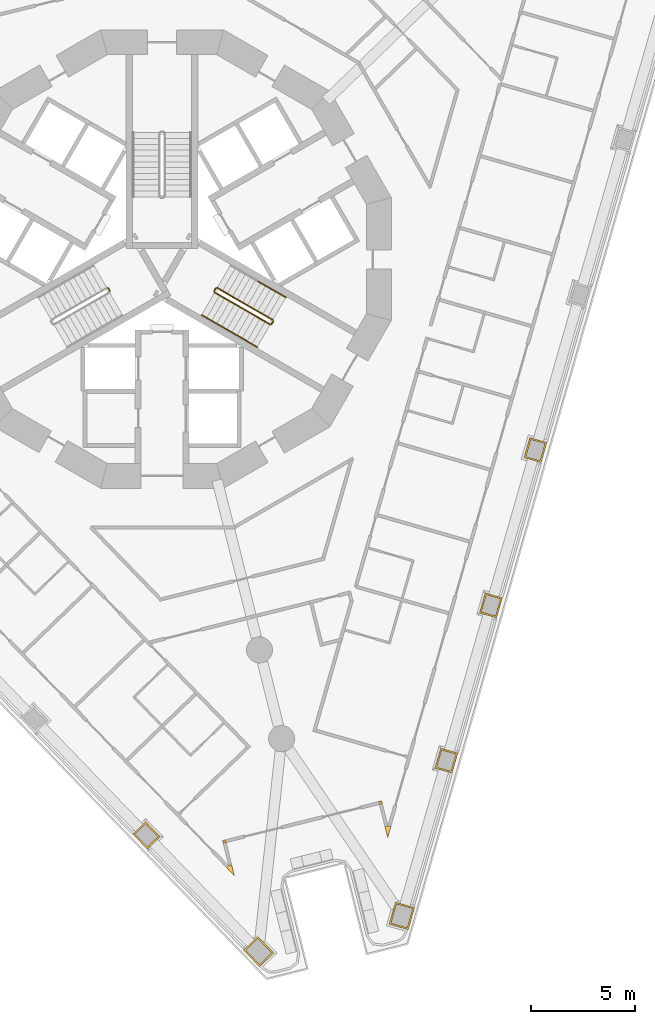
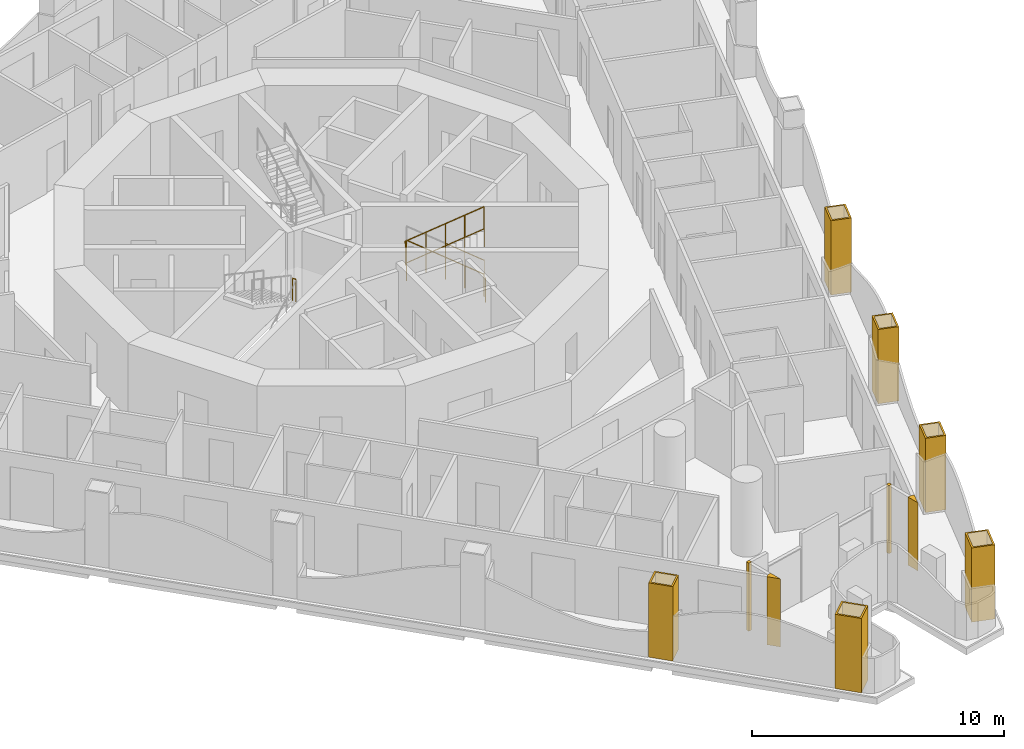
# One storey, part 14 of 19: 10 coverings, 8 railings.
"""IFC4 building model written with IfcOpenShell, lengths in metres."""

from ifc_helpers import new_model, si_unit, direction, frame, origin, origin_2d, place, context, subcontext, project, spatial, polyline, circle, outline, extrude, material, layer, layer_set, type_object, element, save


model = new_model("IFC4")

# Units and contexts
model_context = context("Model", 3, precision=1e-05, world=origin(), true_north=direction((0.0, 1.0)))
body_context = subcontext(model_context, "Body", "Model", "MODEL_VIEW")
ifc_project = project(units=[si_unit("LENGTHUNIT", "METRE"), si_unit("AREAUNIT", "SQUARE_METRE"), si_unit("VOLUMEUNIT", "CUBIC_METRE"), si_unit("PLANEANGLEUNIT", "RADIAN"), si_unit("MASSUNIT", "GRAM", prefix="KILO")], contexts=[model_context])

# Site, building, storey
site_placement = place(None, origin())
site = spatial("IfcSite", under=ifc_project, at=site_placement, CompositionType="ELEMENT")
building_placement = place(site_placement, origin())
building = spatial("IfcBuilding", under=site, at=building_placement, Name="Trine Commons Tower", CompositionType="ELEMENT")
storey_placement = place(building_placement, frame((0.0, 0.0, 105.300048828125)))
storey = spatial("IfcBuildingStorey", under=building, at=storey_placement, Name="L26", CompositionType="ELEMENT", Elevation=105.300048828125)

# Coverings
ifc_material_1 = material(Name="Aluminium-framed insulated wall panel", Category="aluminium")
ifc_layer_1 = layer(ifc_material_1, 0.14990234375)
ifc_layer_set_1 = layer_set([ifc_layer_1], Name="Aluminium-framed insulated wall panel")
covering_type_1 = type_object("IfcCoveringType", Name="Glazing corner post, aluminium", PredefinedType="CLADDING", material=ifc_layer_set_1)
covering_1_placement = place(storey_placement, origin())
element("IfcCovering", 1, at=covering_1_placement, inside=storey, type_object=covering_type_1, Name="Glazing corner post 3-09", PredefinedType="CLADDING", context=body_context, shape_type="SweptSolid", body=[
    extrude(outline(polyline([(90.701416015625, 35.24560546875), (90.836669921875, 34.70263671875), (90.990966796875, 35.24072265625), (90.8466796875, 35.281982421875), (90.701416015625, 35.24560546875)])), origin(), (0.0, 0.0, 1.0), 3.300048828125),
])
covering_2_placement = place(storey_placement, origin())
element("IfcCovering", 2, at=covering_2_placement, inside=storey, type_object=covering_type_1, Name="Glazing corner post 3-10", PredefinedType="CLADDING", context=body_context, shape_type="SweptSolid", body=[
    extrude(outline(polyline([(90.40234375, 36.44482421875), (90.438720703125, 36.29931640625), (90.584228515625, 36.33544921875), (90.5478515625, 36.481201171875), (90.40234375, 36.44482421875)])), origin(), (0.0, 0.0, 1.0), 3.300048828125),
])
covering_3_placement = place(storey_placement, origin())
element("IfcCovering", 3, at=covering_3_placement, inside=storey, type_object=covering_type_1, Name="Glazing corner post 3-11", PredefinedType="CLADDING", context=body_context, shape_type="SweptSolid", body=[
    extrude(outline(polyline([(82.938232421875, 34.42919921875), (83.083740234375, 34.465576171875), (83.047607421875, 34.611083984375), (82.90185546875, 34.57470703125), (82.938232421875, 34.42919921875)])), origin(), (0.0, 0.0, 1.0), 3.300048828125),
])
covering_4_placement = place(storey_placement, origin())
element("IfcCovering", 4, at=covering_4_placement, inside=storey, type_object=covering_type_1, Name="Glazing corner post 3-12", PredefinedType="CLADDING", context=body_context, shape_type="SweptSolid", body=[
    extrude(outline(polyline([(83.093017578125, 33.271484375), (83.48193359375, 32.868896484375), (83.346435546875, 33.412109375), (83.200927734375, 33.375732421875), (83.093017578125, 33.271484375)])), origin(), (0.0, 0.0, 1.0), 3.300048828125),
])
ifc_material_2 = material(Name="Limestone, honed", Category="masonry")
ifc_layer_2 = layer(ifc_material_2, 0.074951171875)
ifc_layer_set_2 = layer_set([ifc_layer_2], Name="Limestone, honed")
covering_type_2 = type_object("IfcCoveringType", Name="Limestone column cladding 75", PredefinedType="CLADDING", material=ifc_layer_set_2)
covering_5_placement = place(storey_placement, origin())
element("IfcCovering", 5, at=covering_5_placement, inside=storey, type_object=covering_type_2, Name="Limestone pier cladding 3-01", PredefinedType="CLADDING", context=body_context, shape_type="SweptSolid", body=[
    extrude(outline(polyline([(84.600341796875, 29.961669921875), (83.9169921875, 29.3017578125), (84.68115234375, 28.510498046875), (85.364501953125, 29.17041015625), (84.600341796875, 29.961669921875)]), holes=[polyline([(84.598388671875, 29.85546875), (84.02294921875, 29.2998046875), (84.682861328125, 28.616455078125), (85.25830078125, 29.172119140625), (84.598388671875, 29.85546875)])]), origin(), (0.0, 0.0, 1.0), 3.599853515625),
])
covering_6_placement = place(storey_placement, origin())
element("IfcCovering", 6, at=covering_6_placement, inside=storey, type_object=covering_type_2, Name="Limestone pier cladding 3-02", PredefinedType="CLADDING", context=body_context, shape_type="SweptSolid", body=[
    extrude(outline(polyline([(79.210205078125, 35.47119140625), (78.5986328125, 34.880859375), (79.293212890625, 34.16162109375), (79.90478515625, 34.751953125), (79.210205078125, 35.47119140625)]), holes=[polyline([(79.208251953125, 35.365234375), (78.70458984375, 34.87890625), (79.295166015625, 34.267578125), (79.798583984375, 34.75390625), (79.208251953125, 35.365234375)])]), origin(), (0.0, 0.0, 1.0), 3.599853515625),
])
covering_7_placement = place(storey_placement, origin())
element("IfcCovering", 7, at=covering_7_placement, inside=storey, type_object=covering_type_2, Name="Limestone pier cladding 3-21", PredefinedType="CLADDING", context=body_context, shape_type="SweptSolid", body=[
    extrude(outline(polyline([(98.48046875, 53.685791015625), (97.663330078125, 53.920166015625), (97.3876953125, 52.958984375), (98.20458984375, 52.724609375), (98.48046875, 53.685791015625)]), holes=[polyline([(98.3876953125, 53.634521484375), (97.714599609375, 53.827392578125), (97.48046875, 53.01025390625), (98.1533203125, 52.8173828125), (98.3876953125, 53.634521484375)])]), origin(), (0.0, 0.0, 1.0), 3.599853515625),
])
covering_8_placement = place(storey_placement, origin())
element("IfcCovering", 8, at=covering_8_placement, inside=storey, type_object=covering_type_2, Name="Limestone pier cladding 3-22", PredefinedType="CLADDING", context=body_context, shape_type="SweptSolid", body=[
    extrude(outline(polyline([(96.342041015625, 46.228759765625), (95.52490234375, 46.462890625), (95.249267578125, 45.501708984375), (96.06640625, 45.267333984375), (96.342041015625, 46.228759765625)]), holes=[polyline([(96.249267578125, 46.17724609375), (95.576416015625, 46.3701171875), (95.342041015625, 45.552978515625), (96.014892578125, 45.360107421875), (96.249267578125, 46.17724609375)])]), origin(), (0.0, 0.0, 1.0), 3.599853515625),
])
covering_9_placement = place(storey_placement, origin())
element("IfcCovering", 9, at=covering_9_placement, inside=storey, type_object=covering_type_2, Name="Limestone pier cladding 3-23", PredefinedType="CLADDING", context=body_context, shape_type="SweptSolid", body=[
    extrude(outline(polyline([(94.203857421875, 38.771484375), (93.38671875, 39.005859375), (93.111083984375, 38.044677734375), (93.927978515625, 37.810302734375), (94.203857421875, 38.771484375)]), holes=[polyline([(94.111083984375, 38.72021484375), (93.43798828125, 38.9130859375), (93.203857421875, 38.095947265625), (93.876708984375, 37.903076171875), (94.111083984375, 38.72021484375)])]), origin(), (0.0, 0.0, 1.0), 3.599853515625),
])
covering_10_placement = place(storey_placement, origin())
element("IfcCovering", 10, at=covering_10_placement, inside=storey, type_object=covering_type_2, Name="Limestone pier cladding 3-24", PredefinedType="CLADDING", context=body_context, shape_type="SweptSolid", body=[
    extrude(outline(polyline([(92.127197265625, 31.348876953125), (91.214111328125, 31.610595703125), (90.910888671875, 30.55322265625), (91.82421875, 30.29150390625), (92.127197265625, 31.348876953125)]), holes=[polyline([(92.034423828125, 31.29736328125), (91.265380859375, 31.517822265625), (91.003662109375, 30.604736328125), (91.772705078125, 30.384033203125), (92.034423828125, 31.29736328125)])]), origin(), (0.0, 0.0, 1.0), 3.599853515625),
])

# Railings
ifc_material_3 = material(Name="Stainless steel balustrade", Category="steel")
railing_type_1 = type_object("IfcRailingType", Name="Stair guard, steel balustrade 1100", PredefinedType="GUARDRAIL", material=ifc_material_3)
railing_1_placement = place(storey_placement, frame((77.490966796875, 60.96484375, 1.800048828125)))
element("IfcRailing", 11, at=railing_1_placement, inside=storey, type_object=railing_type_1, Name="L26 ST2A stair guard 2", PredefinedType="GUARDRAIL", context=body_context, shape_type="SweptSolid", body=[
    extrude(circle(Radius=0.02392578125, at=origin_2d()), frame((0.0, 0.0, 1.076171875), z_axis=(-0.501036270542, 0.865426285481, 0.0), x_axis=(-0.865426285481, -0.501036270542, 0.0)), (0.0, 0.0, 1.0), 0.150146484375),
    extrude(circle(Radius=0.02099609375, at=origin_2d()), origin(), (0.0, 0.0, 1.0), 1.052001953125),
    extrude(circle(Radius=0.02099609375, at=origin_2d()), frame((-0.0751953125, 0.1298828125, 0.0)), (0.0, 0.0, 1.0), 1.052001953125),
])
railing_2_placement = place(storey_placement, frame((85.31982421875, 59.572998046875, 0.14990234375)))
element("IfcRailing", 12, at=railing_2_placement, inside=storey, type_object=railing_type_1, Name="L26 ST3A stair guard 1", PredefinedType="GUARDRAIL", context=body_context, shape_type="SweptSolid", body=[
    extrude(circle(Radius=0.02392578125, at=origin_2d()), frame((0.0, 0.0, 1.076171875), z_axis=(-0.763379768245, 0.440728498818, 0.472239049384), x_axis=(-0.499992328818, -0.866029832698, 0.0)), (0.0, 0.0, 1.0), 3.494384765625),
    extrude(circle(Radius=0.02099609375, at=origin_2d()), origin(), (0.0, 0.0, 1.0), 1.052001953125),
    extrude(circle(Radius=0.02099609375, at=origin_2d()), frame((-0.6669921875, 0.385009765625, 0.41259765625)), (0.0, 0.0, 1.0), 1.052001953125),
    extrude(circle(Radius=0.02099609375, at=origin_2d()), frame((-1.333740234375, 0.77001953125, 0.8251953125)), (0.0, 0.0, 1.0), 1.052001953125),
    extrude(circle(Radius=0.02099609375, at=origin_2d()), frame((-2.00048828125, 1.155029296875, 1.237548828125)), (0.0, 0.0, 1.0), 1.052001953125),
    extrude(circle(Radius=0.02099609375, at=origin_2d()), frame((-2.66748046875, 1.5400390625, 1.650146484375)), (0.0, 0.0, 1.0), 1.052001953125),
])
railing_3_placement = place(storey_placement, frame((82.584228515625, 61.0947265625, 1.800048828125)))
element("IfcRailing", 13, at=railing_3_placement, inside=storey, type_object=railing_type_1, Name="L26 ST3A stair guard 2", PredefinedType="GUARDRAIL", context=body_context, shape_type="SweptSolid", body=[
    extrude(circle(Radius=0.02392578125, at=origin_2d()), frame((0.0, 0.0, 1.076171875), z_axis=(-0.501036270542, -0.865426285481, 0.0), x_axis=(0.865426285481, -0.501036270542, 0.0)), (0.0, 0.0, 1.0), 0.150146484375),
    extrude(circle(Radius=0.02099609375, at=origin_2d()), origin(), (0.0, 0.0, 1.0), 1.052001953125),
    extrude(circle(Radius=0.02099609375, at=origin_2d()), frame((-0.0751953125, -0.1298828125, 0.0)), (0.0, 0.0, 1.0), 1.052001953125),
])
railing_4_placement = place(storey_placement, frame((82.52734375, 60.896484375, 1.949951171875)))
element("IfcRailing", 14, at=railing_4_placement, inside=storey, type_object=railing_type_1, Name="L26 ST3A stair guard 3", PredefinedType="GUARDRAIL", context=body_context, shape_type="SweptSolid", body=[
    extrude(circle(Radius=0.02392578125, at=origin_2d()), frame((0.0, 0.0, 1.076171875), z_axis=(0.76340495495, -0.440743040072, 0.472184759798), x_axis=(0.499992328818, 0.866029832698, 0.0)), (0.0, 0.0, 1.0), 3.494140625),
    extrude(circle(Radius=0.02099609375, at=origin_2d()), origin(), (0.0, 0.0, 1.0), 1.052001953125),
    extrude(circle(Radius=0.02099609375, at=origin_2d()), frame((0.6669921875, -0.385009765625, 0.41259765625)), (0.0, 0.0, 1.0), 1.052001953125),
    extrude(circle(Radius=0.02099609375, at=origin_2d()), frame((1.333740234375, -0.77001953125, 0.824951171875)), (0.0, 0.0, 1.0), 1.052001953125),
    extrude(circle(Radius=0.02099609375, at=origin_2d()), frame((2.00048828125, -1.155029296875, 1.2373046875)), (0.0, 0.0, 1.0), 1.052001953125),
    extrude(circle(Radius=0.02099609375, at=origin_2d()), frame((2.66748046875, -1.5400390625, 1.64990234375)), (0.0, 0.0, 1.0), 1.052001953125),
])
railing_5_placement = place(storey_placement, frame((85.338134765625, 59.504638671875, 0.0)))
element("IfcRailing", 15, at=railing_5_placement, inside=storey, type_object=railing_type_1, Name="L26 ST3A stair guard 4", PredefinedType="GUARDRAIL", context=body_context, shape_type="SweptSolid", body=[
    extrude(circle(Radius=0.02392578125, at=origin_2d()), frame((0.0, 0.0, 1.076171875), z_axis=(-0.499816412211, -0.866131372301, 0.0), x_axis=(0.866131372301, -0.499816412211, 0.0)), (0.0, 0.0, 1.0), 0.14990234375),
    extrude(circle(Radius=0.02099609375, at=origin_2d()), origin(), (0.0, 0.0, 1.0), 1.052001953125),
    extrude(circle(Radius=0.02099609375, at=origin_2d()), frame((-0.074951171875, -0.1298828125, 0.0)), (0.0, 0.0, 1.0), 1.052001953125),
])
ifc_material_4 = material(Name="Stainless steel handrail", Category="steel")
railing_type_2 = type_object("IfcRailingType", Name="Stair handrail, steel 900", PredefinedType="HANDRAIL", material=ifc_material_4)
railing_6_placement = place(storey_placement, frame((85.94482421875, 60.655517578125, 0.14990234375)))
element("IfcRailing", 16, at=railing_6_placement, inside=storey, type_object=railing_type_2, Name="L26 ST3A stair handrail 1", PredefinedType="HANDRAIL", context=body_context, shape_type="SweptSolid", body=[
    extrude(circle(Radius=0.02099609375, at=origin_2d()), frame((0.0, 0.0, 0.87890625), z_axis=(-0.76340495495, 0.440743040072, 0.472184759798), x_axis=(-0.499992328818, -0.866029832698, 0.0)), (0.0, 0.0, 1.0), 1.7470703125),
    extrude(circle(Radius=0.01513671875, at=origin_2d()), origin(), (0.0, 0.0, 1.0), 0.85791015625),
    extrude(circle(Radius=0.01513671875, at=origin_2d()), frame((-0.6669921875, 0.385009765625, 0.41259765625)), (0.0, 0.0, 1.0), 0.85791015625),
    extrude(circle(Radius=0.01513671875, at=origin_2d()), frame((-1.333740234375, 0.77001953125, 0.824951171875)), (0.0, 0.0, 1.0), 0.85791015625),
])
for number, where, name in (
    (17, (81.90234375, 59.81396484375, 1.949951171875), "L26 ST3A stair handrail 3"),
    (18, (83.236083984375, 59.0439453125, 2.77490234375), "L26 ST3A stair handrail 4"),
):
    element("IfcRailing", number, at=place(storey_placement, frame(where)), inside=storey, type_object=railing_type_2, Name=name, PredefinedType="HANDRAIL", context=body_context, shape_type="SweptSolid", body=[
        extrude(circle(Radius=0.02099609375, at=origin_2d()), frame((0.0, 0.0, 0.87890625), z_axis=(0.76340495495, -0.440743040072, 0.472184759798), x_axis=(0.499992328818, 0.866029832698, 0.0)), (0.0, 0.0, 1.0), 1.7470703125),
        extrude(circle(Radius=0.01513671875, at=origin_2d()), origin(), (0.0, 0.0, 1.0), 0.85791015625),
        extrude(circle(Radius=0.01513671875, at=origin_2d()), frame((0.6669921875, -0.385009765625, 0.41259765625)), (0.0, 0.0, 1.0), 0.85791015625),
        extrude(circle(Radius=0.01513671875, at=origin_2d()), frame((1.333740234375, -0.77001953125, 0.824951171875)), (0.0, 0.0, 1.0), 0.85791015625),
    ])

save(model, "model.ifc")
